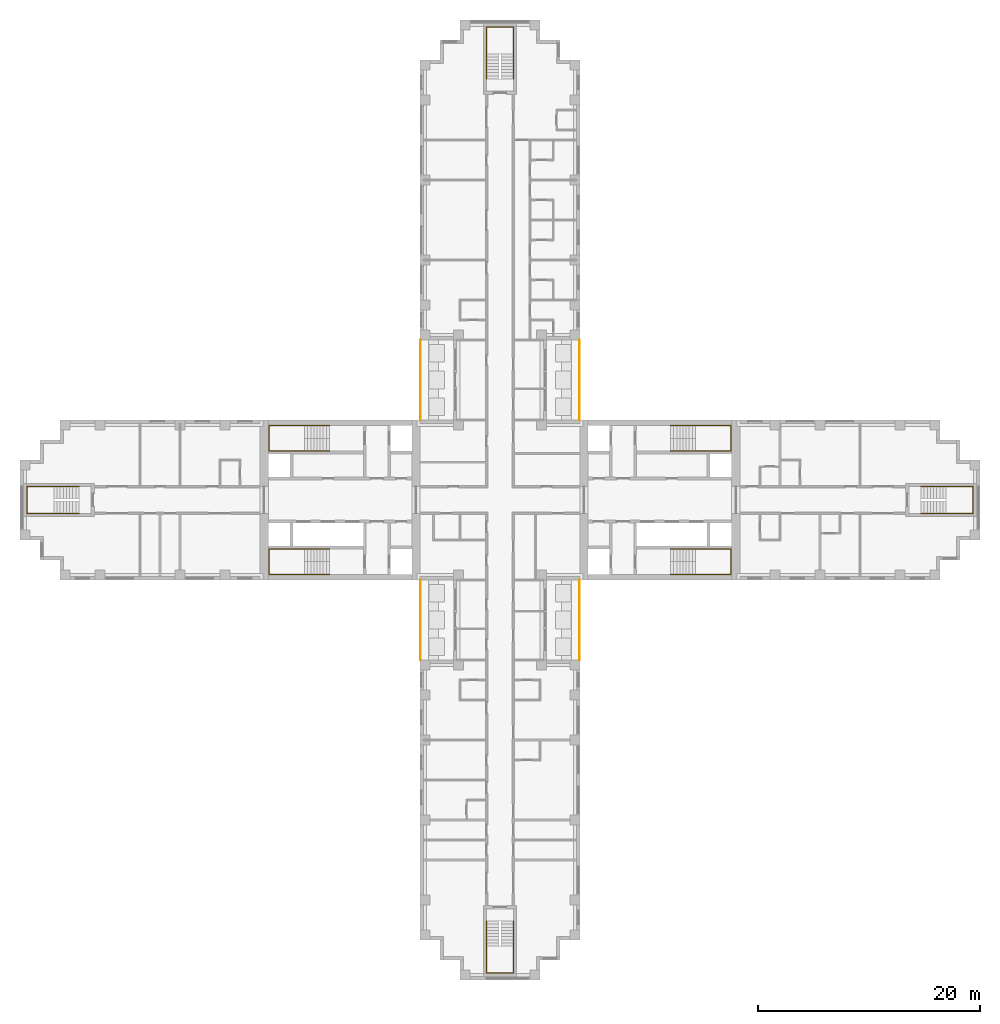
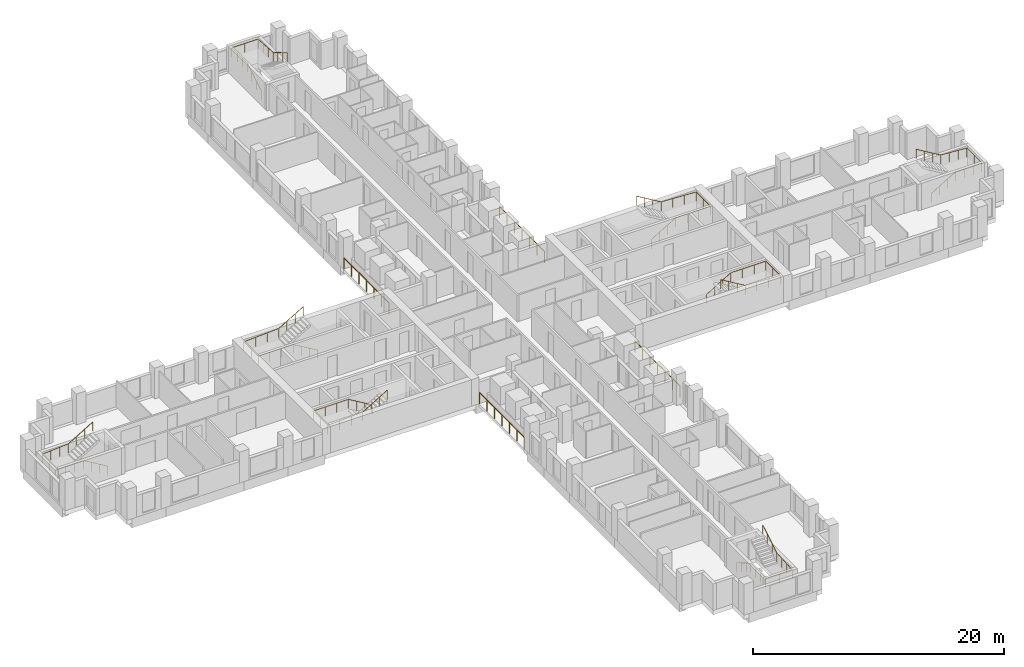
# One storey, part 14 of 15: 12 railings.
"""IFC4 building model written with IfcOpenShell, lengths in metres."""

import ifcopenshell
import ifcopenshell.guid

model = None  # the IFC model being written
_history = None  # IfcOwnerHistory: only IFC2X3 demands one
_inside = {}  # id of a spatial element -> (the spatial element, [elements in it])
_under = {}  # id of a project, library or spatial element -> (it, [spatial elements below it])
_declared = {}  # id of a project -> (the project, [libraries it declares])
_typed = {}  # id of a type object -> (the type object, [elements of that type])
_made_of = {}  # id of a material, layer set ... -> (it, [elements and type objects made of it])


def new_model(schema):
    """Start an empty IFC model of exactly this schema.

    Asked for "IFC4X3", IfcOpenShell would pick the latest addendum, in which some entities
    have other attributes; the version numbers below select the first issue.
    IFC2X3 requires an IfcOwnerHistory on every rooted entity: one is made here for all.
    """
    global model, _history
    if schema == "IFC4X3":
        model = ifcopenshell.file(schema_version=(4, 3, 0, 0))
    else:
        model = ifcopenshell.file(schema=schema)
    _inside.clear()
    _under.clear()
    _declared.clear()
    _typed.clear()
    _made_of.clear()
    _history = None
    if model.schema == "IFC2X3":
        org = make("IfcOrganization", Name="unknown")
        user = make(
            "IfcPersonAndOrganization",
            ThePerson=make("IfcPerson", FamilyName="unknown"),
            TheOrganization=org,
        )
        app = make(
            "IfcApplication",
            ApplicationDeveloper=org,
            Version="unknown",
            ApplicationFullName="unknown",
            ApplicationIdentifier="unknown",
        )
        _history = make(
            "IfcOwnerHistory",
            OwningUser=user,
            OwningApplication=app,
            ChangeAction="ADDED",
            CreationDate=0,
        )
    return model


def make(cls, **values):
    """One entity of the class cls with the attributes given. An attribute that is None is left unset."""
    return model.create_entity(
        cls, **{name: value for name, value in values.items() if value is not None}
    )


def rooted(cls, **values):
    """An entity with a GlobalId (a new one), such as an element, a storey or a relation."""
    return make(cls, GlobalId=ifcopenshell.guid.new(), OwnerHistory=_history, **values)


def si_unit(unit_type, name, prefix=None):
    """IfcSIUnit, for example si_unit("LENGTHUNIT", "METRE", prefix="MILLI")."""
    return make("IfcSIUnit", UnitType=unit_type, Prefix=prefix, Name=name)


def assignment(units):
    """IfcUnitAssignment: the units of a project."""
    return None if units is None else make("IfcUnitAssignment", Units=units)


def point(xyz):
    """IfcCartesianPoint."""
    return None if xyz is None else make("IfcCartesianPoint", Coordinates=xyz)


def direction(xyz):
    """IfcDirection."""
    return None if xyz is None else make("IfcDirection", DirectionRatios=xyz)


def frame(location, z_axis=None, x_axis=None):
    """IfcAxis2Placement3D, a coordinate frame: its origin and axes. An axis left out is left unset."""
    return make(
        "IfcAxis2Placement3D",
        Location=point(location),
        Axis=direction(z_axis),
        RefDirection=direction(x_axis),
    )


def frame_2d(location, x_axis=None):
    """IfcAxis2Placement2D, a coordinate frame in the plane: its origin and x axis."""
    return make(
        "IfcAxis2Placement2D", Location=point(location), RefDirection=direction(x_axis)
    )


def origin():
    """The frame at (0, 0, 0) with its axes left unset."""
    return frame((0.0, 0.0, 0.0))


def origin_2d():
    """The frame at (0, 0) in the plane with its x axis left unset."""
    return frame_2d((0.0, 0.0))


def place(relative_to, where):
    """IfcLocalPlacement: puts the frame where relative to a parent placement (None: the world)."""
    return make(
        "IfcLocalPlacement", PlacementRelTo=relative_to, RelativePlacement=where
    )


def context(
    kind, dimensions, precision=None, world=None, true_north=None, identifier=None
):
    """IfcGeometricRepresentationContext, for example the 3D "Model" context."""
    return make(
        "IfcGeometricRepresentationContext",
        ContextIdentifier=identifier,
        ContextType=kind,
        CoordinateSpaceDimension=dimensions,
        Precision=precision,
        WorldCoordinateSystem=world,
        TrueNorth=true_north,
    )


def subcontext(parent, identifier, kind, view, scale=None):
    """IfcGeometricRepresentationSubContext, for example "Body" below "Model"."""
    return make(
        "IfcGeometricRepresentationSubContext",
        ContextIdentifier=identifier,
        ContextType=kind,
        ParentContext=parent,
        TargetScale=scale,
        TargetView=view,
    )


def project(units=None, contexts=None):
    """IfcProject with its units and contexts."""
    return rooted(
        "IfcProject",
        Name="project",
        RepresentationContexts=contexts,
        UnitsInContext=assignment(units),
    )


def spatial(cls, under=None, at=None, **own):
    """A site, building, storey or space (cls), placed at a placement, below another one or the project."""
    s = rooted(cls, ObjectPlacement=at, **own)
    if under is not None:
        _under.setdefault(under.id(), (under, []))[1].append(s)
    return s


def profile(cls, at=None, kind="AREA", **sizes):
    """A parametric profile (cls). Its sizes go by their IFC names, for example OverallWidth=200.0."""
    return make(cls, ProfileType=kind, Position=at, **sizes)


def circle(**sizes):
    """IfcCircleProfileDef."""
    return profile("IfcCircleProfileDef", **sizes)


def extrude(swept, where, along, depth):
    """IfcExtrudedAreaSolid: the profile swept, set in the frame where, extruded along a direction by depth."""
    return make(
        "IfcExtrudedAreaSolid",
        SweptArea=swept,
        Position=where,
        ExtrudedDirection=direction(along),
        Depth=depth,
    )


def shape(context_of_items, identifier, shape_type, items):
    """IfcShapeRepresentation: the items that make up one representation, for example the "Body"."""
    return make(
        "IfcShapeRepresentation",
        ContextOfItems=context_of_items,
        RepresentationIdentifier=identifier,
        RepresentationType=shape_type,
        Items=items,
    )


def material(Name=None, Category=None):
    """IfcMaterial."""
    return make("IfcMaterial", Name=Name, Category=Category)


def made_of(thing, what):
    """Note that an element or type object is made of a material, layer set ...; save() writes the relation."""
    if what is not None:
        _made_of.setdefault(what.id(), (what, []))[1].append(thing)
    return thing


def type_object(cls, material=None, **own):
    """A type object (cls), such as IfcWallType, which elements share."""
    return made_of(rooted(cls, **own), material)


def element(
    cls,
    number,
    at=None,
    inside=None,
    cuts=None,
    type_object=None,
    material=None,
    context=None,
    identifier="Body",
    shape_type=None,
    held_by="IfcProductDefinitionShape",
    body=None,
    shapes=None,
    **own,
):
    """One element of the class cls, such as IfcWall. Its Tag is "e" and its number.

    at: its placement. inside: the storey or other place that contains it. cuts: it is an
    opening in that element (IfcRelVoidsElement). A single representation is given by context,
    identifier, shape_type and body (its items); several are given by shapes. held_by: the class
    of the entity that holds the representations. save() writes the other relations.
    """
    e = rooted(cls, Tag="e%d" % number, ObjectPlacement=at, **own)
    if body is not None:
        shapes = [shape(context, identifier, shape_type, body)]
    if shapes is not None:
        e.Representation = make(held_by, Representations=shapes)
    if inside is not None:
        _inside.setdefault(inside.id(), (inside, []))[1].append(e)
    if cuts is not None:
        rooted(
            "IfcRelVoidsElement", RelatingBuildingElement=cuts, RelatedOpeningElement=e
        )
    if type_object is not None:
        _typed.setdefault(type_object.id(), (type_object, []))[1].append(e)
    return made_of(e, material)


def aggregate(whole, parts):
    """IfcRelAggregates: a whole, such as a stair, and the parts it consists of."""
    return rooted("IfcRelAggregates", RelatingObject=whole, RelatedObjects=parts)


def save(model, path):
    """Write the relations noted so far, then the file.

    IfcRelAggregates (storeys below a building ...), IfcRelContainedInSpatialStructure (elements
    in a storey), IfcRelDefinesByType, IfcRelAssociatesMaterial and IfcRelDeclares: one each for
    every whole, place, type object, material and project.
    """
    for whole, parts in _under.values():
        aggregate(whole, parts)
    for where, things in _inside.values():
        rooted(
            "IfcRelContainedInSpatialStructure",
            RelatedElements=things,
            RelatingStructure=where,
        )
    for kind, things in _typed.values():
        rooted("IfcRelDefinesByType", RelatedObjects=things, RelatingType=kind)
    for what, things in _made_of.values():
        rooted("IfcRelAssociatesMaterial", RelatedObjects=things, RelatingMaterial=what)
    for by, libraries in _declared.values():
        rooted("IfcRelDeclares", RelatingContext=by, RelatedDefinitions=libraries)
    model.write(path)


model = new_model("IFC4")

# Units and contexts
model_context = context("Model", 3, precision=1e-05, world=origin(), true_north=direction((0.0, 1.0)))
body_context = subcontext(model_context, "Body", "Model", "MODEL_VIEW")
ifc_project = project(units=[si_unit("LENGTHUNIT", "METRE"), si_unit("AREAUNIT", "SQUARE_METRE"), si_unit("VOLUMEUNIT", "CUBIC_METRE"), si_unit("PLANEANGLEUNIT", "RADIAN"), si_unit("MASSUNIT", "GRAM", prefix="KILO")], contexts=[model_context])

# Site, building, storey
site_placement = place(None, origin())
site = spatial("IfcSite", under=ifc_project, at=site_placement, CompositionType="ELEMENT")
building_placement = place(site_placement, origin())
building = spatial("IfcBuilding", under=site, at=building_placement, Name="Fustian Cross Tower", CompositionType="ELEMENT")
storey_placement = place(building_placement, frame((0.0, 0.0, 35.699951171875)))
storey = spatial("IfcBuildingStorey", under=building, at=storey_placement, Name="L10", CompositionType="ELEMENT", Elevation=35.699951171875)

# Railings
ifc_material_1 = material(Name="Stainless steel and glass", Category="steel")
railing_type_1 = type_object("IfcRailingType", Name="GR1 BALCONY GUARD 1100", PredefinedType="GUARDRAIL", material=ifc_material_1)
for number, where, name in (
    (1, (7.14990234375, 7.199951171875, 0.0), "Balcony guard"),
    (2, (-7.14990234375, 7.199951171875, 0.0), "Balcony guard"),
    (3, (7.14990234375, -14.39990234375, 0.0), "Balcony guard"),
    (4, (-7.14990234375, -14.39990234375, 0.0), "Balcony guard"),
):
    element("IfcRailing", number, at=place(storey_placement, frame(where)), inside=storey, type_object=railing_type_1, Name=name, PredefinedType="GUARDRAIL", context=body_context, shape_type="SweptSolid", body=[
        extrude(circle(Radius=0.02392578125, at=origin_2d()), frame((0.0, 0.0, 1.076171875), z_axis=(0.0, 1.0, 0.0), x_axis=(-1.0, 0.0, 0.0)), (0.0, 0.0, 1.0), 7.199951171875),
        extrude(circle(Radius=0.02099609375, at=origin_2d()), origin(), (0.0, 0.0, 1.0), 1.052001953125),
        extrude(circle(Radius=0.02099609375, at=origin_2d()), frame((0.0, 1.199951171875, 0.0)), (0.0, 0.0, 1.0), 1.052001953125),
        extrude(circle(Radius=0.02099609375, at=origin_2d()), frame((0.0, 2.39990234375, 0.0)), (0.0, 0.0, 1.0), 1.052001953125),
        extrude(circle(Radius=0.02099609375, at=origin_2d()), frame((0.0, 3.60009765625, 0.0)), (0.0, 0.0, 1.0), 1.052001953125),
        extrude(circle(Radius=0.02099609375, at=origin_2d()), frame((0.0, 4.800048828125, 0.0)), (0.0, 0.0, 1.0), 1.052001953125),
        extrude(circle(Radius=0.02099609375, at=origin_2d()), frame((0.0, 6.0, 0.0)), (0.0, 0.0, 1.0), 1.052001953125),
        extrude(circle(Radius=0.02099609375, at=origin_2d()), frame((0.0, 7.199951171875, 0.0)), (0.0, 0.0, 1.0), 1.052001953125),
    ])
ifc_material_2 = material(Name="Stainless steel", Category="steel")
railing_type_2 = type_object("IfcRailingType", Name="STAIR HANDRAIL", PredefinedType="HANDRAIL", material=ifc_material_2)
railing_1_placement = place(storey_placement, frame((15.35009765625, 4.39990234375, 0.166748046875)))
element("IfcRailing", 5, at=railing_1_placement, inside=storey, type_object=railing_type_2, Name="Stair ST1 handrail 1", PredefinedType="HANDRAIL", context=body_context, shape_type="SweptSolid", body=[
    extrude(circle(Radius=0.02490234375, at=origin_2d()), frame((0.0, 0.0, 0.875), z_axis=(0.859305625298, 0.0, 0.511462454469), x_axis=(0.0, 1.0, 0.0)), (0.0, 0.0, 1.0), 2.606689453125),
    extrude(circle(Radius=0.02490234375, at=origin_2d()), frame((2.239990234375, 0.0, 2.2080078125), z_axis=(1.0, 0.0, 0.0), x_axis=(0.0, 1.0, 0.0)), (0.0, 0.0, 1.0), 3.219970703125),
    extrude(circle(Radius=0.02490234375, at=origin_2d()), frame((5.4599609375, 0.0, 2.2080078125), z_axis=(0.0, 1.0, 0.0), x_axis=(-1.0, 0.0, 0.0)), (0.0, 0.0, 1.0), 2.300048828125),
    extrude(circle(Radius=0.02490234375, at=origin_2d()), frame((5.4599609375, 2.300048828125, 2.2080078125), z_axis=(-0.998661817807, 0.0, 0.051716280352), x_axis=(0.0, -1.0, 0.0)), (0.0, 0.0, 1.0), 3.224365234375),
    extrude(circle(Radius=0.02490234375, at=origin_2d()), frame((2.239990234375, 2.300048828125, 2.375), z_axis=(-0.859305625298, 0.0, 0.511462454469), x_axis=(0.0, -1.0, 0.0)), (0.0, 0.0, 1.0), 2.606689453125),
    extrude(circle(Radius=0.02001953125, at=origin_2d()), origin(), (0.0, 0.0, 1.0), 0.849853515625),
    extrude(circle(Radius=0.02001953125, at=origin_2d()), frame((0.74658203125, 0.0, 0.4443359375)), (0.0, 0.0, 1.0), 0.849853515625),
    extrude(circle(Radius=0.02001953125, at=origin_2d()), frame((1.493408203125, 0.0, 0.888916015625)), (0.0, 0.0, 1.0), 0.849853515625),
    extrude(circle(Radius=0.02001953125, at=origin_2d()), frame((2.239990234375, 0.0, 1.333251953125)), (0.0, 0.0, 1.0), 0.849853515625),
    extrude(circle(Radius=0.02001953125, at=origin_2d()), frame((3.313232421875, 0.0, 1.333251953125)), (0.0, 0.0, 1.0), 0.849853515625),
    extrude(circle(Radius=0.02001953125, at=origin_2d()), frame((4.38671875, 0.0, 1.333251953125)), (0.0, 0.0, 1.0), 0.849853515625),
    extrude(circle(Radius=0.02001953125, at=origin_2d()), frame((5.4599609375, 0.0, 1.333251953125)), (0.0, 0.0, 1.0), 0.849853515625),
    extrude(circle(Radius=0.02001953125, at=origin_2d()), frame((5.4599609375, 1.14990234375, 1.333251953125)), (0.0, 0.0, 1.0), 0.849853515625),
    extrude(circle(Radius=0.02001953125, at=origin_2d()), frame((5.4599609375, 2.300048828125, 1.333251953125)), (0.0, 0.0, 1.0), 0.849853515625),
    extrude(circle(Radius=0.02001953125, at=origin_2d()), frame((4.38671875, 2.300048828125, 1.388916015625)), (0.0, 0.0, 1.0), 0.849853515625),
    extrude(circle(Radius=0.02001953125, at=origin_2d()), frame((3.313232421875, 2.300048828125, 1.4443359375)), (0.0, 0.0, 1.0), 0.849853515625),
    extrude(circle(Radius=0.02001953125, at=origin_2d()), frame((2.239990234375, 2.300048828125, 1.5)), (0.0, 0.0, 1.0), 0.849853515625),
    extrude(circle(Radius=0.02001953125, at=origin_2d()), frame((1.493408203125, 2.300048828125, 1.9443359375)), (0.0, 0.0, 1.0), 0.849853515625),
    extrude(circle(Radius=0.02001953125, at=origin_2d()), frame((0.74658203125, 2.300048828125, 2.388916015625)), (0.0, 0.0, 1.0), 0.849853515625),
    extrude(circle(Radius=0.02001953125, at=origin_2d()), frame((0.0, 2.300048828125, 2.833251953125)), (0.0, 0.0, 1.0), 0.849853515625),
])
railing_2_placement = place(storey_placement, frame((15.35009765625, -4.39990234375, 0.166748046875)))
element("IfcRailing", 6, at=railing_2_placement, inside=storey, type_object=railing_type_2, Name="Stair ST2 handrail 1", PredefinedType="HANDRAIL", context=body_context, shape_type="SweptSolid", body=[
    extrude(circle(Radius=0.02490234375, at=origin_2d()), frame((0.0, 0.0, 0.875), z_axis=(0.859305625298, 0.0, 0.511462454469), x_axis=(0.0, 1.0, 0.0)), (0.0, 0.0, 1.0), 2.606689453125),
    extrude(circle(Radius=0.02490234375, at=origin_2d()), frame((2.239990234375, 0.0, 2.2080078125), z_axis=(1.0, 0.0, 0.0), x_axis=(0.0, 1.0, 0.0)), (0.0, 0.0, 1.0), 3.219970703125),
    extrude(circle(Radius=0.02490234375, at=origin_2d()), frame((5.4599609375, 0.0, 2.2080078125), z_axis=(0.0, -1.0, 0.0), x_axis=(1.0, 0.0, 0.0)), (0.0, 0.0, 1.0), 2.300048828125),
    extrude(circle(Radius=0.02490234375, at=origin_2d()), frame((5.4599609375, -2.300048828125, 2.2080078125), z_axis=(-0.998661817807, 0.0, 0.051716280352), x_axis=(0.0, -1.0, 0.0)), (0.0, 0.0, 1.0), 3.224365234375),
    extrude(circle(Radius=0.02490234375, at=origin_2d()), frame((2.239990234375, -2.300048828125, 2.375), z_axis=(-0.859305625298, 0.0, 0.511462454469), x_axis=(0.0, -1.0, 0.0)), (0.0, 0.0, 1.0), 2.606689453125),
    extrude(circle(Radius=0.02001953125, at=origin_2d()), origin(), (0.0, 0.0, 1.0), 0.849853515625),
    extrude(circle(Radius=0.02001953125, at=origin_2d()), frame((0.74658203125, 0.0, 0.4443359375)), (0.0, 0.0, 1.0), 0.849853515625),
    extrude(circle(Radius=0.02001953125, at=origin_2d()), frame((1.493408203125, 0.0, 0.888916015625)), (0.0, 0.0, 1.0), 0.849853515625),
    extrude(circle(Radius=0.02001953125, at=origin_2d()), frame((2.239990234375, 0.0, 1.333251953125)), (0.0, 0.0, 1.0), 0.849853515625),
    extrude(circle(Radius=0.02001953125, at=origin_2d()), frame((3.313232421875, 0.0, 1.333251953125)), (0.0, 0.0, 1.0), 0.849853515625),
    extrude(circle(Radius=0.02001953125, at=origin_2d()), frame((4.38671875, 0.0, 1.333251953125)), (0.0, 0.0, 1.0), 0.849853515625),
    extrude(circle(Radius=0.02001953125, at=origin_2d()), frame((5.4599609375, 0.0, 1.333251953125)), (0.0, 0.0, 1.0), 0.849853515625),
    extrude(circle(Radius=0.02001953125, at=origin_2d()), frame((5.4599609375, -1.14990234375, 1.333251953125)), (0.0, 0.0, 1.0), 0.849853515625),
    extrude(circle(Radius=0.02001953125, at=origin_2d()), frame((5.4599609375, -2.300048828125, 1.333251953125)), (0.0, 0.0, 1.0), 0.849853515625),
    extrude(circle(Radius=0.02001953125, at=origin_2d()), frame((4.38671875, -2.300048828125, 1.388916015625)), (0.0, 0.0, 1.0), 0.849853515625),
    extrude(circle(Radius=0.02001953125, at=origin_2d()), frame((3.313232421875, -2.300048828125, 1.4443359375)), (0.0, 0.0, 1.0), 0.849853515625),
    extrude(circle(Radius=0.02001953125, at=origin_2d()), frame((2.239990234375, -2.300048828125, 1.5)), (0.0, 0.0, 1.0), 0.849853515625),
    extrude(circle(Radius=0.02001953125, at=origin_2d()), frame((1.493408203125, -2.300048828125, 1.9443359375)), (0.0, 0.0, 1.0), 0.849853515625),
    extrude(circle(Radius=0.02001953125, at=origin_2d()), frame((0.74658203125, -2.300048828125, 2.388916015625)), (0.0, 0.0, 1.0), 0.849853515625),
    extrude(circle(Radius=0.02001953125, at=origin_2d()), frame((0.0, -2.300048828125, 2.833251953125)), (0.0, 0.0, 1.0), 0.849853515625),
])
railing_3_placement = place(storey_placement, frame((-15.35009765625, 4.39990234375, 0.166748046875)))
element("IfcRailing", 7, at=railing_3_placement, inside=storey, type_object=railing_type_2, Name="Stair ST3 handrail 1", PredefinedType="HANDRAIL", context=body_context, shape_type="SweptSolid", body=[
    extrude(circle(Radius=0.02490234375, at=origin_2d()), frame((0.0, 0.0, 0.875), z_axis=(-0.859305625298, 0.0, 0.511462454469), x_axis=(0.0, -1.0, 0.0)), (0.0, 0.0, 1.0), 2.606689453125),
    extrude(circle(Radius=0.02490234375, at=origin_2d()), frame((-2.239990234375, 0.0, 2.2080078125), z_axis=(-1.0, 0.0, 0.0), x_axis=(0.0, -1.0, 0.0)), (0.0, 0.0, 1.0), 3.219970703125),
    extrude(circle(Radius=0.02490234375, at=origin_2d()), frame((-5.4599609375, 0.0, 2.2080078125), z_axis=(0.0, 1.0, 0.0), x_axis=(-1.0, 0.0, 0.0)), (0.0, 0.0, 1.0), 2.300048828125),
    extrude(circle(Radius=0.02490234375, at=origin_2d()), frame((-5.4599609375, 2.300048828125, 2.2080078125), z_axis=(0.998661817807, 0.0, 0.051716280352), x_axis=(0.0, 1.0, 0.0)), (0.0, 0.0, 1.0), 3.224365234375),
    extrude(circle(Radius=0.02490234375, at=origin_2d()), frame((-2.239990234375, 2.300048828125, 2.375), z_axis=(0.859305625298, 0.0, 0.511462454469), x_axis=(0.0, 1.0, 0.0)), (0.0, 0.0, 1.0), 2.606689453125),
    extrude(circle(Radius=0.02001953125, at=origin_2d()), origin(), (0.0, 0.0, 1.0), 0.849853515625),
    extrude(circle(Radius=0.02001953125, at=origin_2d()), frame((-0.74658203125, 0.0, 0.4443359375)), (0.0, 0.0, 1.0), 0.849853515625),
    extrude(circle(Radius=0.02001953125, at=origin_2d()), frame((-1.493408203125, 0.0, 0.888916015625)), (0.0, 0.0, 1.0), 0.849853515625),
    extrude(circle(Radius=0.02001953125, at=origin_2d()), frame((-2.239990234375, 0.0, 1.333251953125)), (0.0, 0.0, 1.0), 0.849853515625),
    extrude(circle(Radius=0.02001953125, at=origin_2d()), frame((-3.313232421875, 0.0, 1.333251953125)), (0.0, 0.0, 1.0), 0.849853515625),
    extrude(circle(Radius=0.02001953125, at=origin_2d()), frame((-4.38671875, 0.0, 1.333251953125)), (0.0, 0.0, 1.0), 0.849853515625),
    extrude(circle(Radius=0.02001953125, at=origin_2d()), frame((-5.4599609375, 0.0, 1.333251953125)), (0.0, 0.0, 1.0), 0.849853515625),
    extrude(circle(Radius=0.02001953125, at=origin_2d()), frame((-5.4599609375, 1.14990234375, 1.333251953125)), (0.0, 0.0, 1.0), 0.849853515625),
    extrude(circle(Radius=0.02001953125, at=origin_2d()), frame((-5.4599609375, 2.300048828125, 1.333251953125)), (0.0, 0.0, 1.0), 0.849853515625),
    extrude(circle(Radius=0.02001953125, at=origin_2d()), frame((-4.38671875, 2.300048828125, 1.388916015625)), (0.0, 0.0, 1.0), 0.849853515625),
    extrude(circle(Radius=0.02001953125, at=origin_2d()), frame((-3.313232421875, 2.300048828125, 1.4443359375)), (0.0, 0.0, 1.0), 0.849853515625),
    extrude(circle(Radius=0.02001953125, at=origin_2d()), frame((-2.239990234375, 2.300048828125, 1.5)), (0.0, 0.0, 1.0), 0.849853515625),
    extrude(circle(Radius=0.02001953125, at=origin_2d()), frame((-1.493408203125, 2.300048828125, 1.9443359375)), (0.0, 0.0, 1.0), 0.849853515625),
    extrude(circle(Radius=0.02001953125, at=origin_2d()), frame((-0.74658203125, 2.300048828125, 2.388916015625)), (0.0, 0.0, 1.0), 0.849853515625),
    extrude(circle(Radius=0.02001953125, at=origin_2d()), frame((0.0, 2.300048828125, 2.833251953125)), (0.0, 0.0, 1.0), 0.849853515625),
])
railing_4_placement = place(storey_placement, frame((-15.35009765625, -4.39990234375, 0.166748046875)))
element("IfcRailing", 8, at=railing_4_placement, inside=storey, type_object=railing_type_2, Name="Stair ST4 handrail 1", PredefinedType="HANDRAIL", context=body_context, shape_type="SweptSolid", body=[
    extrude(circle(Radius=0.02490234375, at=origin_2d()), frame((0.0, 0.0, 0.875), z_axis=(-0.859305625298, 0.0, 0.511462454469), x_axis=(0.0, -1.0, 0.0)), (0.0, 0.0, 1.0), 2.606689453125),
    extrude(circle(Radius=0.02490234375, at=origin_2d()), frame((-2.239990234375, 0.0, 2.2080078125), z_axis=(-1.0, 0.0, 0.0), x_axis=(0.0, -1.0, 0.0)), (0.0, 0.0, 1.0), 3.219970703125),
    extrude(circle(Radius=0.02490234375, at=origin_2d()), frame((-5.4599609375, 0.0, 2.2080078125), z_axis=(0.0, -1.0, 0.0), x_axis=(1.0, 0.0, 0.0)), (0.0, 0.0, 1.0), 2.300048828125),
    extrude(circle(Radius=0.02490234375, at=origin_2d()), frame((-5.4599609375, -2.300048828125, 2.2080078125), z_axis=(0.998661817807, 0.0, 0.051716280352), x_axis=(0.0, 1.0, 0.0)), (0.0, 0.0, 1.0), 3.224365234375),
    extrude(circle(Radius=0.02490234375, at=origin_2d()), frame((-2.239990234375, -2.300048828125, 2.375), z_axis=(0.859305625298, 0.0, 0.511462454469), x_axis=(0.0, 1.0, 0.0)), (0.0, 0.0, 1.0), 2.606689453125),
    extrude(circle(Radius=0.02001953125, at=origin_2d()), origin(), (0.0, 0.0, 1.0), 0.849853515625),
    extrude(circle(Radius=0.02001953125, at=origin_2d()), frame((-0.74658203125, 0.0, 0.4443359375)), (0.0, 0.0, 1.0), 0.849853515625),
    extrude(circle(Radius=0.02001953125, at=origin_2d()), frame((-1.493408203125, 0.0, 0.888916015625)), (0.0, 0.0, 1.0), 0.849853515625),
    extrude(circle(Radius=0.02001953125, at=origin_2d()), frame((-2.239990234375, 0.0, 1.333251953125)), (0.0, 0.0, 1.0), 0.849853515625),
    extrude(circle(Radius=0.02001953125, at=origin_2d()), frame((-3.313232421875, 0.0, 1.333251953125)), (0.0, 0.0, 1.0), 0.849853515625),
    extrude(circle(Radius=0.02001953125, at=origin_2d()), frame((-4.38671875, 0.0, 1.333251953125)), (0.0, 0.0, 1.0), 0.849853515625),
    extrude(circle(Radius=0.02001953125, at=origin_2d()), frame((-5.4599609375, 0.0, 1.333251953125)), (0.0, 0.0, 1.0), 0.849853515625),
    extrude(circle(Radius=0.02001953125, at=origin_2d()), frame((-5.4599609375, -1.14990234375, 1.333251953125)), (0.0, 0.0, 1.0), 0.849853515625),
    extrude(circle(Radius=0.02001953125, at=origin_2d()), frame((-5.4599609375, -2.300048828125, 1.333251953125)), (0.0, 0.0, 1.0), 0.849853515625),
    extrude(circle(Radius=0.02001953125, at=origin_2d()), frame((-4.38671875, -2.300048828125, 1.388916015625)), (0.0, 0.0, 1.0), 0.849853515625),
    extrude(circle(Radius=0.02001953125, at=origin_2d()), frame((-3.313232421875, -2.300048828125, 1.4443359375)), (0.0, 0.0, 1.0), 0.849853515625),
    extrude(circle(Radius=0.02001953125, at=origin_2d()), frame((-2.239990234375, -2.300048828125, 1.5)), (0.0, 0.0, 1.0), 0.849853515625),
    extrude(circle(Radius=0.02001953125, at=origin_2d()), frame((-1.493408203125, -2.300048828125, 1.9443359375)), (0.0, 0.0, 1.0), 0.849853515625),
    extrude(circle(Radius=0.02001953125, at=origin_2d()), frame((-0.74658203125, -2.300048828125, 2.388916015625)), (0.0, 0.0, 1.0), 0.849853515625),
    extrude(circle(Radius=0.02001953125, at=origin_2d()), frame((0.0, -2.300048828125, 2.833251953125)), (0.0, 0.0, 1.0), 0.849853515625),
])
railing_5_placement = place(storey_placement, frame((-1.199951171875, 37.89990234375, 0.166748046875)))
element("IfcRailing", 9, at=railing_5_placement, inside=storey, type_object=railing_type_2, Name="Stair ST5 handrail 1", PredefinedType="HANDRAIL", context=body_context, shape_type="SweptSolid", body=[
    extrude(circle(Radius=0.02490234375, at=origin_2d()), frame((0.0, 0.0, 0.875), z_axis=(0.0, 0.859305625298, 0.511462454469), x_axis=(-1.0, 0.0, 0.0)), (0.0, 0.0, 1.0), 2.606689453125),
    extrude(circle(Radius=0.02490234375, at=origin_2d()), frame((0.0, 2.239990234375, 2.2080078125), z_axis=(0.0, 1.0, 0.0), x_axis=(-1.0, 0.0, 0.0)), (0.0, 0.0, 1.0), 2.420166015625),
    extrude(circle(Radius=0.02490234375, at=origin_2d()), frame((0.0, 4.66015625, 2.2080078125), z_axis=(1.0, 0.0, 0.0), x_axis=(0.0, 1.0, 0.0)), (0.0, 0.0, 1.0), 2.39990234375),
    extrude(circle(Radius=0.02490234375, at=origin_2d()), frame((2.39990234375, 4.66015625, 2.2080078125), z_axis=(0.0, -0.997634852044, 0.068736467663), x_axis=(1.0, 0.0, 0.0)), (0.0, 0.0, 1.0), 2.426025390625),
    extrude(circle(Radius=0.02490234375, at=origin_2d()), frame((2.39990234375, 2.239990234375, 2.375), z_axis=(0.0, -0.859305625298, 0.511462454469), x_axis=(1.0, 0.0, 0.0)), (0.0, 0.0, 1.0), 2.606689453125),
    extrude(circle(Radius=0.02001953125, at=origin_2d()), origin(), (0.0, 0.0, 1.0), 0.849853515625),
    extrude(circle(Radius=0.02001953125, at=origin_2d()), frame((0.0, 0.74658203125, 0.4443359375)), (0.0, 0.0, 1.0), 0.849853515625),
    extrude(circle(Radius=0.02001953125, at=origin_2d()), frame((0.0, 1.493408203125, 0.888916015625)), (0.0, 0.0, 1.0), 0.849853515625),
    extrude(circle(Radius=0.02001953125, at=origin_2d()), frame((0.0, 2.239990234375, 1.333251953125)), (0.0, 0.0, 1.0), 0.849853515625),
    extrude(circle(Radius=0.02001953125, at=origin_2d()), frame((0.0, 3.046630859375, 1.333251953125)), (0.0, 0.0, 1.0), 0.849853515625),
    extrude(circle(Radius=0.02001953125, at=origin_2d()), frame((0.0, 3.853515625, 1.333251953125)), (0.0, 0.0, 1.0), 0.849853515625),
    extrude(circle(Radius=0.02001953125, at=origin_2d()), frame((0.0, 4.66015625, 1.333251953125)), (0.0, 0.0, 1.0), 0.849853515625),
    extrude(circle(Radius=0.02001953125, at=origin_2d()), frame((1.199951171875, 4.66015625, 1.333251953125)), (0.0, 0.0, 1.0), 0.849853515625),
    extrude(circle(Radius=0.02001953125, at=origin_2d()), frame((2.39990234375, 4.66015625, 1.333251953125)), (0.0, 0.0, 1.0), 0.849853515625),
    extrude(circle(Radius=0.02001953125, at=origin_2d()), frame((2.39990234375, 3.853515625, 1.388916015625)), (0.0, 0.0, 1.0), 0.849853515625),
    extrude(circle(Radius=0.02001953125, at=origin_2d()), frame((2.39990234375, 3.046630859375, 1.4443359375)), (0.0, 0.0, 1.0), 0.849853515625),
    extrude(circle(Radius=0.02001953125, at=origin_2d()), frame((2.39990234375, 2.239990234375, 1.5)), (0.0, 0.0, 1.0), 0.849853515625),
    extrude(circle(Radius=0.02001953125, at=origin_2d()), frame((2.39990234375, 1.493408203125, 1.9443359375)), (0.0, 0.0, 1.0), 0.849853515625),
    extrude(circle(Radius=0.02001953125, at=origin_2d()), frame((2.39990234375, 0.74658203125, 2.388916015625)), (0.0, 0.0, 1.0), 0.849853515625),
    extrude(circle(Radius=0.02001953125, at=origin_2d()), frame((2.39990234375, 0.0, 2.833251953125)), (0.0, 0.0, 1.0), 0.849853515625),
])
railing_6_placement = place(storey_placement, frame((-1.199951171875, -37.89990234375, 0.166748046875)))
element("IfcRailing", 10, at=railing_6_placement, inside=storey, type_object=railing_type_2, Name="Stair ST6 handrail 1", PredefinedType="HANDRAIL", context=body_context, shape_type="SweptSolid", body=[
    extrude(circle(Radius=0.02490234375, at=origin_2d()), frame((0.0, 0.0, 0.875), z_axis=(0.0, -0.859305625298, 0.511462454469), x_axis=(1.0, 0.0, 0.0)), (0.0, 0.0, 1.0), 2.606689453125),
    extrude(circle(Radius=0.02490234375, at=origin_2d()), frame((0.0, -2.239990234375, 2.2080078125), z_axis=(0.0, -1.0, 0.0), x_axis=(1.0, 0.0, 0.0)), (0.0, 0.0, 1.0), 2.420166015625),
    extrude(circle(Radius=0.02490234375, at=origin_2d()), frame((0.0, -4.66015625, 2.2080078125), z_axis=(1.0, 0.0, 0.0), x_axis=(0.0, 1.0, 0.0)), (0.0, 0.0, 1.0), 2.39990234375),
    extrude(circle(Radius=0.02490234375, at=origin_2d()), frame((2.39990234375, -4.66015625, 2.2080078125), z_axis=(0.0, 0.997634852044, 0.068736467663), x_axis=(-1.0, 0.0, 0.0)), (0.0, 0.0, 1.0), 2.426025390625),
    extrude(circle(Radius=0.02490234375, at=origin_2d()), frame((2.39990234375, -2.239990234375, 2.375), z_axis=(0.0, 0.859305625298, 0.511462454469), x_axis=(-1.0, 0.0, 0.0)), (0.0, 0.0, 1.0), 2.606689453125),
    extrude(circle(Radius=0.02001953125, at=origin_2d()), origin(), (0.0, 0.0, 1.0), 0.849853515625),
    extrude(circle(Radius=0.02001953125, at=origin_2d()), frame((0.0, -0.74658203125, 0.4443359375)), (0.0, 0.0, 1.0), 0.849853515625),
    extrude(circle(Radius=0.02001953125, at=origin_2d()), frame((0.0, -1.493408203125, 0.888916015625)), (0.0, 0.0, 1.0), 0.849853515625),
    extrude(circle(Radius=0.02001953125, at=origin_2d()), frame((0.0, -2.239990234375, 1.333251953125)), (0.0, 0.0, 1.0), 0.849853515625),
    extrude(circle(Radius=0.02001953125, at=origin_2d()), frame((0.0, -3.046630859375, 1.333251953125)), (0.0, 0.0, 1.0), 0.849853515625),
    extrude(circle(Radius=0.02001953125, at=origin_2d()), frame((0.0, -3.853515625, 1.333251953125)), (0.0, 0.0, 1.0), 0.849853515625),
    extrude(circle(Radius=0.02001953125, at=origin_2d()), frame((0.0, -4.66015625, 1.333251953125)), (0.0, 0.0, 1.0), 0.849853515625),
    extrude(circle(Radius=0.02001953125, at=origin_2d()), frame((1.199951171875, -4.66015625, 1.333251953125)), (0.0, 0.0, 1.0), 0.849853515625),
    extrude(circle(Radius=0.02001953125, at=origin_2d()), frame((2.39990234375, -4.66015625, 1.333251953125)), (0.0, 0.0, 1.0), 0.849853515625),
    extrude(circle(Radius=0.02001953125, at=origin_2d()), frame((2.39990234375, -3.853515625, 1.388916015625)), (0.0, 0.0, 1.0), 0.849853515625),
    extrude(circle(Radius=0.02001953125, at=origin_2d()), frame((2.39990234375, -3.046630859375, 1.4443359375)), (0.0, 0.0, 1.0), 0.849853515625),
    extrude(circle(Radius=0.02001953125, at=origin_2d()), frame((2.39990234375, -2.239990234375, 1.5)), (0.0, 0.0, 1.0), 0.849853515625),
    extrude(circle(Radius=0.02001953125, at=origin_2d()), frame((2.39990234375, -1.493408203125, 1.9443359375)), (0.0, 0.0, 1.0), 0.849853515625),
    extrude(circle(Radius=0.02001953125, at=origin_2d()), frame((2.39990234375, -0.74658203125, 2.388916015625)), (0.0, 0.0, 1.0), 0.849853515625),
    extrude(circle(Radius=0.02001953125, at=origin_2d()), frame((2.39990234375, 0.0, 2.833251953125)), (0.0, 0.0, 1.0), 0.849853515625),
])
railing_7_placement = place(storey_placement, frame((37.89990234375, -1.199951171875, 0.166748046875)))
element("IfcRailing", 11, at=railing_7_placement, inside=storey, type_object=railing_type_2, Name="Stair ST8 handrail 1", PredefinedType="HANDRAIL", context=body_context, shape_type="SweptSolid", body=[
    extrude(circle(Radius=0.02490234375, at=origin_2d()), frame((0.0, 0.0, 0.875), z_axis=(0.859305625298, 0.0, 0.511462454469), x_axis=(0.0, 1.0, 0.0)), (0.0, 0.0, 1.0), 2.606689453125),
    extrude(circle(Radius=0.02490234375, at=origin_2d()), frame((2.239990234375, 0.0, 2.2080078125), z_axis=(1.0, 0.0, 0.0), x_axis=(0.0, 1.0, 0.0)), (0.0, 0.0, 1.0), 2.420166015625),
    extrude(circle(Radius=0.02490234375, at=origin_2d()), frame((4.66015625, 0.0, 2.2080078125), z_axis=(0.0, 1.0, 0.0), x_axis=(-1.0, 0.0, 0.0)), (0.0, 0.0, 1.0), 2.39990234375),
    extrude(circle(Radius=0.02490234375, at=origin_2d()), frame((4.66015625, 2.39990234375, 2.2080078125), z_axis=(-0.997634852044, 0.0, 0.068736467663), x_axis=(0.0, -1.0, 0.0)), (0.0, 0.0, 1.0), 2.426025390625),
    extrude(circle(Radius=0.02490234375, at=origin_2d()), frame((2.239990234375, 2.39990234375, 2.375), z_axis=(-0.859305625298, 0.0, 0.511462454469), x_axis=(0.0, -1.0, 0.0)), (0.0, 0.0, 1.0), 2.606689453125),
    extrude(circle(Radius=0.02001953125, at=origin_2d()), origin(), (0.0, 0.0, 1.0), 0.849853515625),
    extrude(circle(Radius=0.02001953125, at=origin_2d()), frame((0.74658203125, 0.0, 0.4443359375)), (0.0, 0.0, 1.0), 0.849853515625),
    extrude(circle(Radius=0.02001953125, at=origin_2d()), frame((1.493408203125, 0.0, 0.888916015625)), (0.0, 0.0, 1.0), 0.849853515625),
    extrude(circle(Radius=0.02001953125, at=origin_2d()), frame((2.239990234375, 0.0, 1.333251953125)), (0.0, 0.0, 1.0), 0.849853515625),
    extrude(circle(Radius=0.02001953125, at=origin_2d()), frame((3.046630859375, 0.0, 1.333251953125)), (0.0, 0.0, 1.0), 0.849853515625),
    extrude(circle(Radius=0.02001953125, at=origin_2d()), frame((3.853515625, 0.0, 1.333251953125)), (0.0, 0.0, 1.0), 0.849853515625),
    extrude(circle(Radius=0.02001953125, at=origin_2d()), frame((4.66015625, 0.0, 1.333251953125)), (0.0, 0.0, 1.0), 0.849853515625),
    extrude(circle(Radius=0.02001953125, at=origin_2d()), frame((4.66015625, 1.199951171875, 1.333251953125)), (0.0, 0.0, 1.0), 0.849853515625),
    extrude(circle(Radius=0.02001953125, at=origin_2d()), frame((4.66015625, 2.39990234375, 1.333251953125)), (0.0, 0.0, 1.0), 0.849853515625),
    extrude(circle(Radius=0.02001953125, at=origin_2d()), frame((3.853515625, 2.39990234375, 1.388916015625)), (0.0, 0.0, 1.0), 0.849853515625),
    extrude(circle(Radius=0.02001953125, at=origin_2d()), frame((3.046630859375, 2.39990234375, 1.4443359375)), (0.0, 0.0, 1.0), 0.849853515625),
    extrude(circle(Radius=0.02001953125, at=origin_2d()), frame((2.239990234375, 2.39990234375, 1.5)), (0.0, 0.0, 1.0), 0.849853515625),
    extrude(circle(Radius=0.02001953125, at=origin_2d()), frame((1.493408203125, 2.39990234375, 1.9443359375)), (0.0, 0.0, 1.0), 0.849853515625),
    extrude(circle(Radius=0.02001953125, at=origin_2d()), frame((0.74658203125, 2.39990234375, 2.388916015625)), (0.0, 0.0, 1.0), 0.849853515625),
    extrude(circle(Radius=0.02001953125, at=origin_2d()), frame((0.0, 2.39990234375, 2.833251953125)), (0.0, 0.0, 1.0), 0.849853515625),
])
railing_8_placement = place(storey_placement, frame((-37.89990234375, -1.199951171875, 0.166748046875)))
element("IfcRailing", 12, at=railing_8_placement, inside=storey, type_object=railing_type_2, Name="Stair ST9 handrail 1", PredefinedType="HANDRAIL", context=body_context, shape_type="SweptSolid", body=[
    extrude(circle(Radius=0.02490234375, at=origin_2d()), frame((0.0, 0.0, 0.875), z_axis=(-0.859305625298, 0.0, 0.511462454469), x_axis=(0.0, -1.0, 0.0)), (0.0, 0.0, 1.0), 2.606689453125),
    extrude(circle(Radius=0.02490234375, at=origin_2d()), frame((-2.239990234375, 0.0, 2.2080078125), z_axis=(-1.0, 0.0, 0.0), x_axis=(0.0, -1.0, 0.0)), (0.0, 0.0, 1.0), 2.420166015625),
    extrude(circle(Radius=0.02490234375, at=origin_2d()), frame((-4.66015625, 0.0, 2.2080078125), z_axis=(0.0, 1.0, 0.0), x_axis=(-1.0, 0.0, 0.0)), (0.0, 0.0, 1.0), 2.39990234375),
    extrude(circle(Radius=0.02490234375, at=origin_2d()), frame((-4.66015625, 2.39990234375, 2.2080078125), z_axis=(0.997634852044, 0.0, 0.068736467663), x_axis=(0.0, 1.0, 0.0)), (0.0, 0.0, 1.0), 2.426025390625),
    extrude(circle(Radius=0.02490234375, at=origin_2d()), frame((-2.239990234375, 2.39990234375, 2.375), z_axis=(0.859305625298, 0.0, 0.511462454469), x_axis=(0.0, 1.0, 0.0)), (0.0, 0.0, 1.0), 2.606689453125),
    extrude(circle(Radius=0.02001953125, at=origin_2d()), origin(), (0.0, 0.0, 1.0), 0.849853515625),
    extrude(circle(Radius=0.02001953125, at=origin_2d()), frame((-0.74658203125, 0.0, 0.4443359375)), (0.0, 0.0, 1.0), 0.849853515625),
    extrude(circle(Radius=0.02001953125, at=origin_2d()), frame((-1.493408203125, 0.0, 0.888916015625)), (0.0, 0.0, 1.0), 0.849853515625),
    extrude(circle(Radius=0.02001953125, at=origin_2d()), frame((-2.239990234375, 0.0, 1.333251953125)), (0.0, 0.0, 1.0), 0.849853515625),
    extrude(circle(Radius=0.02001953125, at=origin_2d()), frame((-3.046630859375, 0.0, 1.333251953125)), (0.0, 0.0, 1.0), 0.849853515625),
    extrude(circle(Radius=0.02001953125, at=origin_2d()), frame((-3.853515625, 0.0, 1.333251953125)), (0.0, 0.0, 1.0), 0.849853515625),
    extrude(circle(Radius=0.02001953125, at=origin_2d()), frame((-4.66015625, 0.0, 1.333251953125)), (0.0, 0.0, 1.0), 0.849853515625),
    extrude(circle(Radius=0.02001953125, at=origin_2d()), frame((-4.66015625, 1.199951171875, 1.333251953125)), (0.0, 0.0, 1.0), 0.849853515625),
    extrude(circle(Radius=0.02001953125, at=origin_2d()), frame((-4.66015625, 2.39990234375, 1.333251953125)), (0.0, 0.0, 1.0), 0.849853515625),
    extrude(circle(Radius=0.02001953125, at=origin_2d()), frame((-3.853515625, 2.39990234375, 1.388916015625)), (0.0, 0.0, 1.0), 0.849853515625),
    extrude(circle(Radius=0.02001953125, at=origin_2d()), frame((-3.046630859375, 2.39990234375, 1.4443359375)), (0.0, 0.0, 1.0), 0.849853515625),
    extrude(circle(Radius=0.02001953125, at=origin_2d()), frame((-2.239990234375, 2.39990234375, 1.5)), (0.0, 0.0, 1.0), 0.849853515625),
    extrude(circle(Radius=0.02001953125, at=origin_2d()), frame((-1.493408203125, 2.39990234375, 1.9443359375)), (0.0, 0.0, 1.0), 0.849853515625),
    extrude(circle(Radius=0.02001953125, at=origin_2d()), frame((-0.74658203125, 2.39990234375, 2.388916015625)), (0.0, 0.0, 1.0), 0.849853515625),
    extrude(circle(Radius=0.02001953125, at=origin_2d()), frame((0.0, 2.39990234375, 2.833251953125)), (0.0, 0.0, 1.0), 0.849853515625),
])

save(model, "model.ifc")
